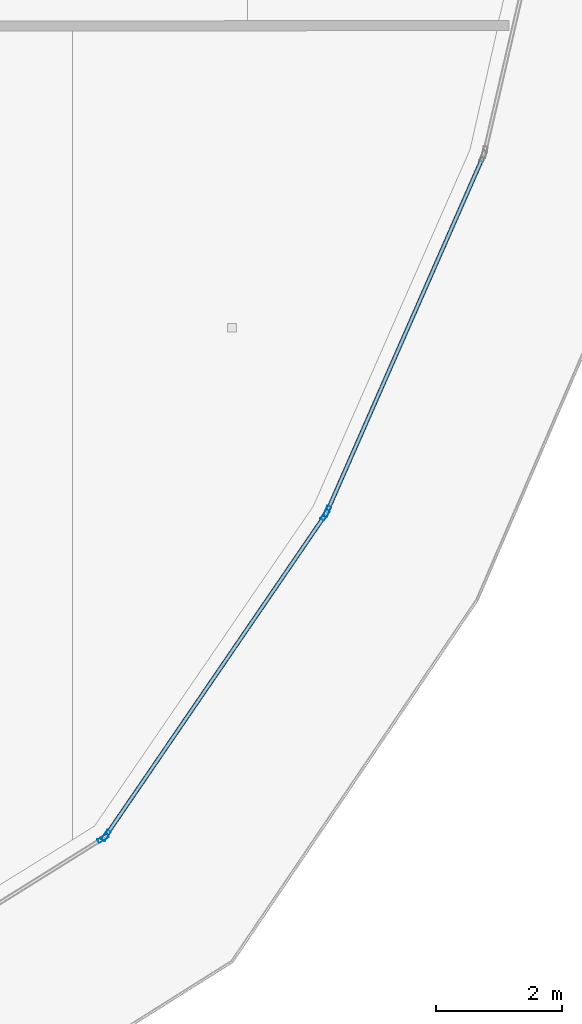
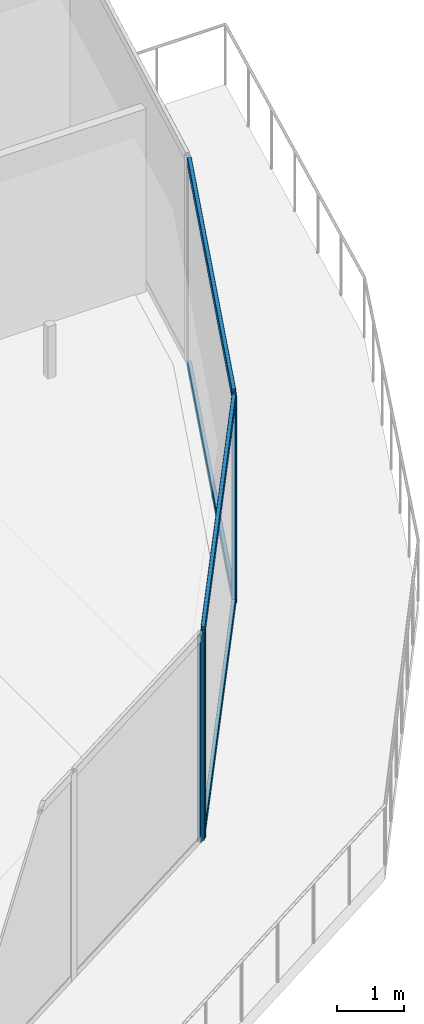
# One storey, part 11 of 36: 8 members, 3 elements without a shape of their own.
"""IFC4 building model written with IfcOpenShell, lengths in metres."""

import ifcopenshell
import ifcopenshell.guid

model = None  # the IFC model being written
_history = None  # IfcOwnerHistory: only IFC2X3 demands one
_inside = {}  # id of a spatial element -> (the spatial element, [elements in it])
_under = {}  # id of a project, library or spatial element -> (it, [spatial elements below it])
_declared = {}  # id of a project -> (the project, [libraries it declares])
_typed = {}  # id of a type object -> (the type object, [elements of that type])
_made_of = {}  # id of a material, layer set ... -> (it, [elements and type objects made of it])


def new_model(schema):
    """Start an empty IFC model of exactly this schema.

    Asked for "IFC4X3", IfcOpenShell would pick the latest addendum, in which some entities
    have other attributes; the version numbers below select the first issue.
    IFC2X3 requires an IfcOwnerHistory on every rooted entity: one is made here for all.
    """
    global model, _history
    if schema == "IFC4X3":
        model = ifcopenshell.file(schema_version=(4, 3, 0, 0))
    else:
        model = ifcopenshell.file(schema=schema)
    _inside.clear()
    _under.clear()
    _declared.clear()
    _typed.clear()
    _made_of.clear()
    _history = None
    if model.schema == "IFC2X3":
        org = make("IfcOrganization", Name="unknown")
        user = make(
            "IfcPersonAndOrganization",
            ThePerson=make("IfcPerson", FamilyName="unknown"),
            TheOrganization=org,
        )
        app = make(
            "IfcApplication",
            ApplicationDeveloper=org,
            Version="unknown",
            ApplicationFullName="unknown",
            ApplicationIdentifier="unknown",
        )
        _history = make(
            "IfcOwnerHistory",
            OwningUser=user,
            OwningApplication=app,
            ChangeAction="ADDED",
            CreationDate=0,
        )
    return model


def make(cls, **values):
    """One entity of the class cls with the attributes given. An attribute that is None is left unset."""
    return model.create_entity(
        cls, **{name: value for name, value in values.items() if value is not None}
    )


def rooted(cls, **values):
    """An entity with a GlobalId (a new one), such as an element, a storey or a relation."""
    return make(cls, GlobalId=ifcopenshell.guid.new(), OwnerHistory=_history, **values)


def si_unit(unit_type, name, prefix=None):
    """IfcSIUnit, for example si_unit("LENGTHUNIT", "METRE", prefix="MILLI")."""
    return make("IfcSIUnit", UnitType=unit_type, Prefix=prefix, Name=name)


def assignment(units):
    """IfcUnitAssignment: the units of a project."""
    return None if units is None else make("IfcUnitAssignment", Units=units)


def point(xyz):
    """IfcCartesianPoint."""
    return None if xyz is None else make("IfcCartesianPoint", Coordinates=xyz)


def direction(xyz):
    """IfcDirection."""
    return None if xyz is None else make("IfcDirection", DirectionRatios=xyz)


def frame(location, z_axis=None, x_axis=None):
    """IfcAxis2Placement3D, a coordinate frame: its origin and axes. An axis left out is left unset."""
    return make(
        "IfcAxis2Placement3D",
        Location=point(location),
        Axis=direction(z_axis),
        RefDirection=direction(x_axis),
    )


def frame_2d(location, x_axis=None):
    """IfcAxis2Placement2D, a coordinate frame in the plane: its origin and x axis."""
    return make(
        "IfcAxis2Placement2D", Location=point(location), RefDirection=direction(x_axis)
    )


def origin():
    """The frame at (0, 0, 0) with its axes left unset."""
    return frame((0.0, 0.0, 0.0))


def origin_2d():
    """The frame at (0, 0) in the plane with its x axis left unset."""
    return frame_2d((0.0, 0.0))


def place(relative_to, where):
    """IfcLocalPlacement: puts the frame where relative to a parent placement (None: the world)."""
    return make(
        "IfcLocalPlacement", PlacementRelTo=relative_to, RelativePlacement=where
    )


def context(
    kind, dimensions, precision=None, world=None, true_north=None, identifier=None
):
    """IfcGeometricRepresentationContext, for example the 3D "Model" context."""
    return make(
        "IfcGeometricRepresentationContext",
        ContextIdentifier=identifier,
        ContextType=kind,
        CoordinateSpaceDimension=dimensions,
        Precision=precision,
        WorldCoordinateSystem=world,
        TrueNorth=true_north,
    )


def subcontext(parent, identifier, kind, view, scale=None):
    """IfcGeometricRepresentationSubContext, for example "Body" below "Model"."""
    return make(
        "IfcGeometricRepresentationSubContext",
        ContextIdentifier=identifier,
        ContextType=kind,
        ParentContext=parent,
        TargetScale=scale,
        TargetView=view,
    )


def project(units=None, contexts=None):
    """IfcProject with its units and contexts."""
    return rooted(
        "IfcProject",
        Name="project",
        RepresentationContexts=contexts,
        UnitsInContext=assignment(units),
    )


def spatial(cls, under=None, at=None, **own):
    """A site, building, storey or space (cls), placed at a placement, below another one or the project."""
    s = rooted(cls, ObjectPlacement=at, **own)
    if under is not None:
        _under.setdefault(under.id(), (under, []))[1].append(s)
    return s


def profile(cls, at=None, kind="AREA", **sizes):
    """A parametric profile (cls). Its sizes go by their IFC names, for example OverallWidth=200.0."""
    return make(cls, ProfileType=kind, Position=at, **sizes)


def hollow_rectangle(**sizes):
    """IfcRectangleHollowProfileDef."""
    return profile("IfcRectangleHollowProfileDef", **sizes)


def extrude(swept, where, along, depth):
    """IfcExtrudedAreaSolid: the profile swept, set in the frame where, extruded along a direction by depth."""
    return make(
        "IfcExtrudedAreaSolid",
        SweptArea=swept,
        Position=where,
        ExtrudedDirection=direction(along),
        Depth=depth,
    )


def shape(context_of_items, identifier, shape_type, items):
    """IfcShapeRepresentation: the items that make up one representation, for example the "Body"."""
    return make(
        "IfcShapeRepresentation",
        ContextOfItems=context_of_items,
        RepresentationIdentifier=identifier,
        RepresentationType=shape_type,
        Items=items,
    )


def material(Name=None, Category=None):
    """IfcMaterial."""
    return make("IfcMaterial", Name=Name, Category=Category)


def layer(
    of_material, thickness, ventilated=None, Name=None, Category=None, Priority=None
):
    """IfcMaterialLayer: one layer of a wall or slab, of a material (None: an air gap)."""
    return make(
        "IfcMaterialLayer",
        Material=of_material,
        LayerThickness=thickness,
        IsVentilated=ventilated,
        Name=Name,
        Category=Category,
        Priority=Priority,
    )


def layer_set(layers, Name=None):
    """IfcMaterialLayerSet."""
    return make("IfcMaterialLayerSet", MaterialLayers=layers, LayerSetName=Name)


def material_profile(
    of_material, cross_section, Name=None, Category=None, Priority=None
):
    """IfcMaterialProfile: a cross section and its material."""
    return make(
        "IfcMaterialProfile",
        Name=Name,
        Material=of_material,
        Profile=cross_section,
        Priority=Priority,
        Category=Category,
    )


def profile_set(profiles, Name=None, composite=None):
    """IfcMaterialProfileSet."""
    return make(
        "IfcMaterialProfileSet",
        Name=Name,
        MaterialProfiles=profiles,
        CompositeProfile=composite,
    )


def made_of(thing, what):
    """Note that an element or type object is made of a material, layer set ...; save() writes the relation."""
    if what is not None:
        _made_of.setdefault(what.id(), (what, []))[1].append(thing)
    return thing


def type_object(cls, material=None, **own):
    """A type object (cls), such as IfcWallType, which elements share."""
    return made_of(rooted(cls, **own), material)


def element(
    cls,
    number,
    at=None,
    inside=None,
    cuts=None,
    type_object=None,
    material=None,
    context=None,
    identifier="Body",
    shape_type=None,
    held_by="IfcProductDefinitionShape",
    body=None,
    shapes=None,
    **own,
):
    """One element of the class cls, such as IfcWall. Its Tag is "e" and its number.

    at: its placement. inside: the storey or other place that contains it. cuts: it is an
    opening in that element (IfcRelVoidsElement). A single representation is given by context,
    identifier, shape_type and body (its items); several are given by shapes. held_by: the class
    of the entity that holds the representations. save() writes the other relations.
    """
    e = rooted(cls, Tag="e%d" % number, ObjectPlacement=at, **own)
    if body is not None:
        shapes = [shape(context, identifier, shape_type, body)]
    if shapes is not None:
        e.Representation = make(held_by, Representations=shapes)
    if inside is not None:
        _inside.setdefault(inside.id(), (inside, []))[1].append(e)
    if cuts is not None:
        rooted(
            "IfcRelVoidsElement", RelatingBuildingElement=cuts, RelatedOpeningElement=e
        )
    if type_object is not None:
        _typed.setdefault(type_object.id(), (type_object, []))[1].append(e)
    return made_of(e, material)


def aggregate(whole, parts):
    """IfcRelAggregates: a whole, such as a stair, and the parts it consists of."""
    return rooted("IfcRelAggregates", RelatingObject=whole, RelatedObjects=parts)


def save(model, path):
    """Write the relations noted so far, then the file.

    IfcRelAggregates (storeys below a building ...), IfcRelContainedInSpatialStructure (elements
    in a storey), IfcRelDefinesByType, IfcRelAssociatesMaterial and IfcRelDeclares: one each for
    every whole, place, type object, material and project.
    """
    for whole, parts in _under.values():
        aggregate(whole, parts)
    for where, things in _inside.values():
        rooted(
            "IfcRelContainedInSpatialStructure",
            RelatedElements=things,
            RelatingStructure=where,
        )
    for kind, things in _typed.values():
        rooted("IfcRelDefinesByType", RelatedObjects=things, RelatingType=kind)
    for what, things in _made_of.values():
        rooted("IfcRelAssociatesMaterial", RelatedObjects=things, RelatingMaterial=what)
    for by, libraries in _declared.values():
        rooted("IfcRelDeclares", RelatingContext=by, RelatedDefinitions=libraries)
    model.write(path)


model = new_model("IFC4")

# Units and contexts
model_context = context("Model", 3, precision=1e-05, world=origin(), true_north=direction((0.0, 1.0)))
body_context = subcontext(model_context, "Body", "Model", "MODEL_VIEW")
ifc_project = project(units=[si_unit("LENGTHUNIT", "METRE"), si_unit("AREAUNIT", "SQUARE_METRE"), si_unit("VOLUMEUNIT", "CUBIC_METRE"), si_unit("PLANEANGLEUNIT", "RADIAN"), si_unit("MASSUNIT", "GRAM", prefix="KILO")], contexts=[model_context])

# Site, building, storey
site_placement = place(None, origin())
site = spatial("IfcSite", under=ifc_project, at=site_placement, CompositionType="ELEMENT")
building_placement = place(site_placement, origin())
building = spatial("IfcBuilding", under=site, at=building_placement, Name="Qorvath Tower", CompositionType="ELEMENT")
storey_placement = place(building_placement, frame((0.0, 0.0, 205.050048828125)))
storey = spatial("IfcBuildingStorey", under=building, at=storey_placement, Name="L47", CompositionType="ELEMENT", Elevation=205.050048828125)

# Curtain wall, member
ifc_material_1 = material(Name="Anodised aluminium and triple low-E glass", Category="aluminium")
ifc_layer = layer(ifc_material_1, 0.179931640625)
ifc_layer_set = layer_set([ifc_layer], Name="CW-SYS-3")
curtain_wall_type = type_object("IfcCurtainWallType", Name="CW-SYS-3", PredefinedType="NOTDEFINED", material=ifc_layer_set)
curtain_wall_1_placement = place(storey_placement, origin())
curtain_wall_1 = element("IfcCurtainWall", 1, at=curtain_wall_1_placement, inside=storey, type_object=curtain_wall_type, Name="Curtain Wall CW-3 CW-T-L47-4.1", PredefinedType="NOTDEFINED")
ifc_material_2 = material(Name="Anodised aluminium 6063-T6", Category="aluminium")
ifc_material_profile_1 = material_profile(ifc_material_2, hollow_rectangle(XDim=0.06494140625, YDim=0.179931640625, WallThickness=0.00341796875, InnerFilletRadius=0.00341796875, OuterFilletRadius=0.007080078125, at=origin_2d()), Name="CWM 180x65")
ifc_profile_set_1 = profile_set([ifc_material_profile_1], Name="Anodised aluminium 6063-T6")
member_type_1 = type_object("IfcMemberType", Name="CWM-180", PredefinedType="MULLION", material=ifc_profile_set_1)
member_1_placement = place(storey_placement, frame((-5.7587890625, -21.410888671875, 0.0), z_axis=(0.0, 0.0, 1.0), x_axis=(-0.529206179006, 0.848493264618, 0.0)))
member_1 = element("IfcMember", 2, at=member_1_placement, type_object=member_type_1, Name="CW-3 mullion 3", PredefinedType="MULLION", context=body_context, shape_type="SweptSolid", body=[
    extrude(hollow_rectangle(XDim=0.06494140625, YDim=0.179931640625, WallThickness=0.00341796875, InnerFilletRadius=0.00341796875, OuterFilletRadius=0.007080078125, at=origin_2d()), origin(), (0.0, 0.0, 1.0), 3.780029296875),
])
aggregate(curtain_wall_1, [member_1])

# Curtain wall, members
curtain_wall_2_placement = place(storey_placement, origin())
curtain_wall_2 = element("IfcCurtainWall", 3, at=curtain_wall_2_placement, inside=storey, type_object=curtain_wall_type, Name="Curtain Wall CW-3 CW-T-L47-5.1", PredefinedType="NOTDEFINED")
member_2_placement = place(storey_placement, frame((-5.712890625, -21.366943359375, 0.0), z_axis=(0.0, 0.0, 1.0), x_axis=(-0.825424850974, 0.56451201528, 0.0)))
member_2 = element("IfcMember", 4, at=member_2_placement, type_object=member_type_1, Name="CW-3 mullion 1", PredefinedType="MULLION", context=body_context, shape_type="SweptSolid", body=[
    extrude(hollow_rectangle(XDim=0.06494140625, YDim=0.179931640625, WallThickness=0.00341796875, InnerFilletRadius=0.00341796875, OuterFilletRadius=0.007080078125, at=origin_2d()), origin(), (0.0, 0.0, 1.0), 3.780029296875),
])
member_3_placement = place(storey_placement, frame((-2.240966796875, -16.29052734375, 0.0), z_axis=(0.0, 0.0, 1.0), x_axis=(-0.825424850974, 0.56451201528, 0.0)))
member_3 = element("IfcMember", 5, at=member_3_placement, type_object=member_type_1, Name="CW-3 mullion 2", PredefinedType="MULLION", context=body_context, shape_type="SweptSolid", body=[
    extrude(hollow_rectangle(XDim=0.06494140625, YDim=0.179931640625, WallThickness=0.00341796875, InnerFilletRadius=0.00341796875, OuterFilletRadius=0.007080078125, at=origin_2d()), origin(), (0.0, 0.0, 1.0), 3.780029296875),
])

# Curtain wall, member
curtain_wall_3_placement = place(storey_placement, origin())
curtain_wall_3 = element("IfcCurtainWall", 6, at=curtain_wall_3_placement, inside=storey, type_object=curtain_wall_type, Name="Curtain Wall CW-3 CW-T-L47-6.1", PredefinedType="NOTDEFINED")
member_4_placement = place(storey_placement, frame((-2.209716796875, -16.23388671875, 0.0), z_axis=(0.0, 0.0, 1.0), x_axis=(-0.915498802884, 0.402320695364, 0.0)))
member_4 = element("IfcMember", 7, at=member_4_placement, type_object=member_type_1, Name="CW-3 mullion 1", PredefinedType="MULLION", context=body_context, shape_type="SweptSolid", body=[
    extrude(hollow_rectangle(XDim=0.06494140625, YDim=0.179931640625, WallThickness=0.00341796875, InnerFilletRadius=0.00341796875, OuterFilletRadius=0.007080078125, at=origin_2d()), origin(), (0.0, 0.0, 1.0), 3.780029296875),
])

# Member
ifc_material_3 = material(Name="Anodised aluminium 6063-T6", Category="aluminium")
ifc_material_profile_2 = material_profile(ifc_material_3, hollow_rectangle(XDim=0.06494140625, YDim=0.159912109375, WallThickness=0.00341796875, InnerFilletRadius=0.00341796875, OuterFilletRadius=0.007080078125, at=origin_2d()), Name="CWT 160x65")
ifc_profile_set_2 = profile_set([ifc_material_profile_2], Name="Anodised aluminium 6063-T6")
member_type_2 = type_object("IfcMemberType", Name="CWT-160", PredefinedType="USERDEFINED", material=ifc_profile_set_2)
member_5_placement = place(storey_placement, frame((-5.694580078125, -21.340087890625, 0.032470703125), z_axis=(0.564540077657, 0.825405658279, 0.0), x_axis=(-0.825405658279, 0.564540077657, 0.0)))
member_5 = element("IfcMember", 8, at=member_5_placement, type_object=member_type_2, Name="CW-3 transom 1.1", ObjectType="TRANSOM", PredefinedType="USERDEFINED", context=body_context, shape_type="SweptSolid", body=[
    extrude(hollow_rectangle(XDim=0.06494140625, YDim=0.159912109375, WallThickness=0.00341796875, InnerFilletRadius=0.00341796875, OuterFilletRadius=0.007080078125, at=origin_2d()), origin(), (0.0, 0.0, 1.0), 6.085205078125),
])

member_6_placement = place(storey_placement, frame((-5.694580078125, -21.340087890625, 3.74755859375), z_axis=(0.564540077657, 0.825405658279, 0.0), x_axis=(-0.825405658279, 0.564540077657, 0.0)))
member_6 = element("IfcMember", 9, at=member_6_placement, type_object=member_type_2, Name="CW-3 transom 1.2", ObjectType="TRANSOM", PredefinedType="USERDEFINED", context=body_context, shape_type="SweptSolid", body=[
    extrude(hollow_rectangle(XDim=0.06494140625, YDim=0.159912109375, WallThickness=0.00341796875, InnerFilletRadius=0.00341796875, OuterFilletRadius=0.007080078125, at=origin_2d()), origin(), (0.0, 0.0, 1.0), 6.085205078125),
])

aggregate(curtain_wall_2, [member_2, member_3, member_5, member_6])

member_7_placement = place(storey_placement, frame((-2.196533203125, -16.2041015625, 0.032470703125), z_axis=(0.402337899002, 0.915491242463, 0.0), x_axis=(-0.915491242463, 0.402337899002, 0.0)))
member_7 = element("IfcMember", 10, at=member_7_placement, type_object=member_type_2, Name="CW-3 transom 1.1", ObjectType="TRANSOM", PredefinedType="USERDEFINED", context=body_context, shape_type="SweptSolid", body=[
    extrude(hollow_rectangle(XDim=0.06494140625, YDim=0.159912109375, WallThickness=0.00341796875, InnerFilletRadius=0.00341796875, OuterFilletRadius=0.007080078125, at=origin_2d()), origin(), (0.0, 0.0, 1.0), 6.0849609375),
])

member_8_placement = place(storey_placement, frame((-2.196533203125, -16.2041015625, 3.74755859375), z_axis=(0.402337899002, 0.915491242463, 0.0), x_axis=(-0.915491242463, 0.402337899002, 0.0)))
member_8 = element("IfcMember", 11, at=member_8_placement, type_object=member_type_2, Name="CW-3 transom 1.2", ObjectType="TRANSOM", PredefinedType="USERDEFINED", context=body_context, shape_type="SweptSolid", body=[
    extrude(hollow_rectangle(XDim=0.06494140625, YDim=0.159912109375, WallThickness=0.00341796875, InnerFilletRadius=0.00341796875, OuterFilletRadius=0.007080078125, at=origin_2d()), origin(), (0.0, 0.0, 1.0), 6.0849609375),
])

aggregate(curtain_wall_3, [member_4, member_7, member_8])

save(model, "model.ifc")
